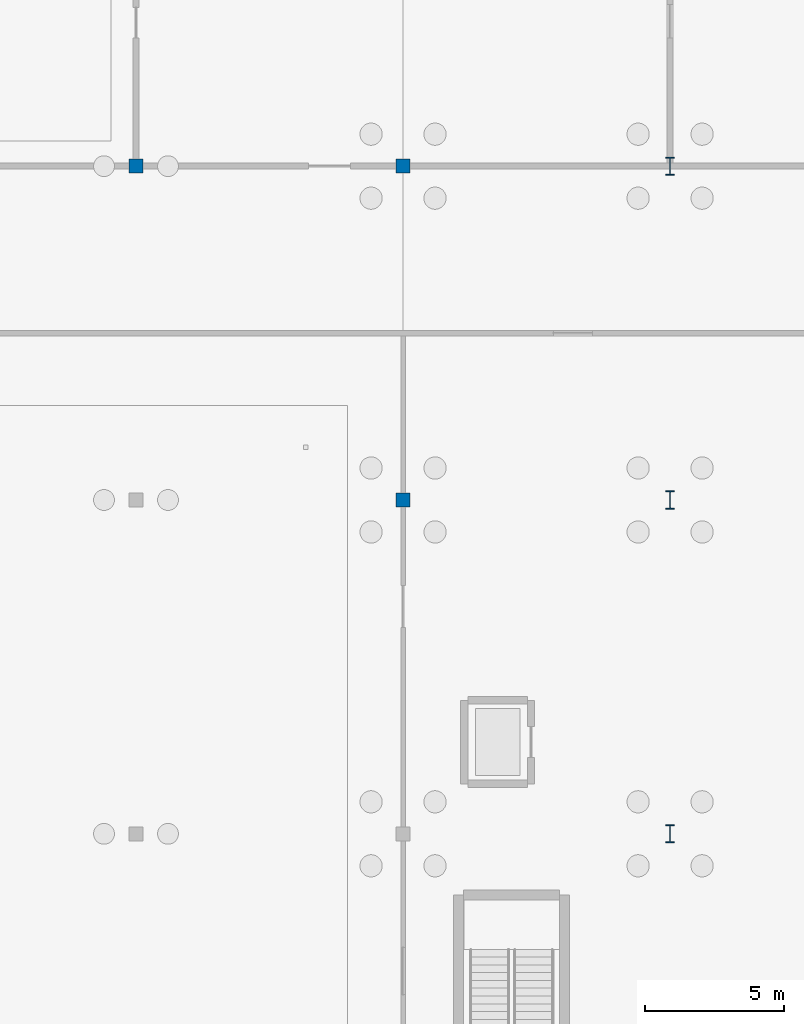
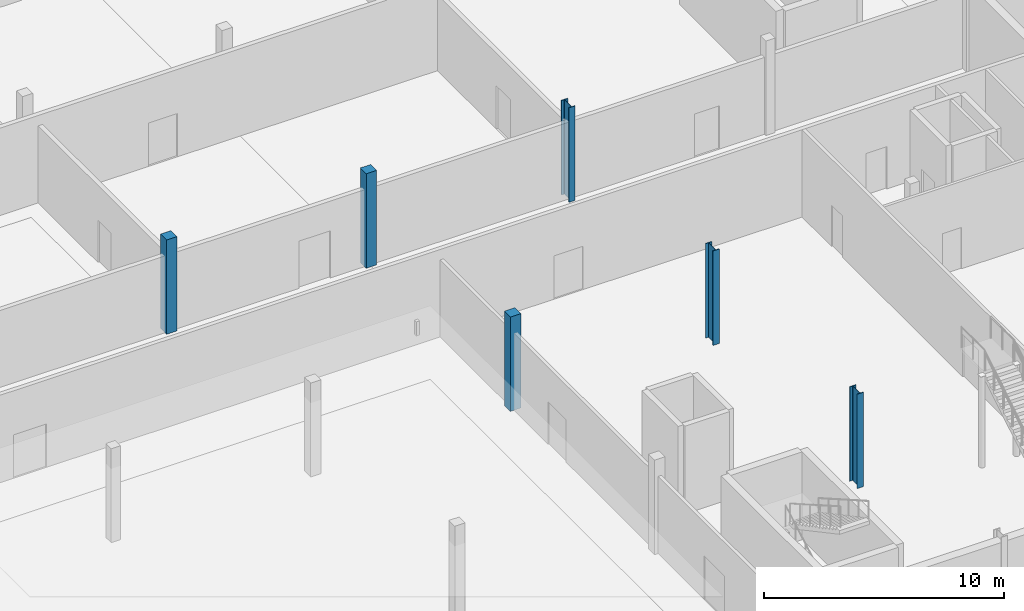
# One storey, part 16 of 31: 6 columns.
"""IFC4 building model written with IfcOpenShell, lengths in metres."""

from ifc_helpers import new_model, si_unit, direction, frame, origin, origin_2d, place, context, subcontext, project, spatial, rectangle, i_section, extrude, material, material_profile, profile_set, type_object, element, save


model = new_model("IFC4")

# Units and contexts
model_context = context("Model", 3, precision=1e-05, world=origin(), true_north=direction((0.0, 1.0)))
body_context = subcontext(model_context, "Body", "Model", "MODEL_VIEW")
ifc_project = project(units=[si_unit("LENGTHUNIT", "METRE"), si_unit("AREAUNIT", "SQUARE_METRE"), si_unit("VOLUMEUNIT", "CUBIC_METRE"), si_unit("PLANEANGLEUNIT", "RADIAN"), si_unit("MASSUNIT", "GRAM", prefix="KILO")], contexts=[model_context])

# Site, building, storey
site_placement = place(None, origin())
site = spatial("IfcSite", under=ifc_project, at=site_placement, CompositionType="ELEMENT")
building_placement = place(site_placement, origin())
building = spatial("IfcBuilding", under=site, at=building_placement, Name="Merenkruunu Market Hall", CompositionType="ELEMENT")
storey_placement = place(building_placement, frame((0.0, 0.0, -4.800048828125)))
storey = spatial("IfcBuildingStorey", under=building, at=storey_placement, Name="B1", CompositionType="ELEMENT", Elevation=-4.800048828125)

# Columns
ifc_material_1 = material(Name="Steel S355ML", Category="steel")
ifc_material_profile_1 = material_profile(ifc_material_1, i_section(OverallWidth=0.300048828125, OverallDepth=0.64990234375, WebThickness=0.01611328125, FlangeThickness=0.031005859375, FilletRadius=0.027099609375, at=origin_2d()), Name="HEB 650")
ifc_profile_set_1 = profile_set([ifc_material_profile_1], Name="Steel S355ML")
column_type_1 = type_object("IfcColumnType", Name="Structural Column C01", PredefinedType="COLUMN", material=ifc_profile_set_1)
for number, where, z_axis, x_axis, name in (
    (1, (57.60009765625, 63.60009765625, 0.0), (0.0, 0.0, 1.0), (1.0, 0.0, 0.0), "COL-B1-G-08"),
    (2, (57.60009765625, 75.60009765625, 0.0), (0.0, 0.0, 1.0), (1.0, 0.0, 0.0), "COL-B1-G-09"),
    (3, (57.60009765625, 87.60009765625, 0.0), (0.0, 0.0, 1.0), (1.0, 0.0, 0.0), "COL-B1-G-10"),
):
    element("IfcColumn", number, at=place(storey_placement, frame(where, z_axis=z_axis, x_axis=x_axis)), inside=storey, type_object=column_type_1, Name=name, PredefinedType="COLUMN", context=body_context, shape_type="SweptSolid", body=[
        extrude(i_section(OverallWidth=0.300048828125, OverallDepth=0.64990234375, WebThickness=0.01611328125, FlangeThickness=0.031005859375, FilletRadius=0.027099609375, at=origin_2d()), origin(), (0.0, 0.0, 1.0), 4.800048828125),
    ])
ifc_material_2 = material(Name="Concrete C35/45", Category="concrete")
ifc_material_profile_2 = material_profile(ifc_material_2, rectangle(XDim=0.5, YDim=0.5, at=origin_2d()), Name="RC 500x500")
ifc_profile_set_2 = profile_set([ifc_material_profile_2], Name="Concrete C35/45")
column_type_2 = type_object("IfcColumnType", Name="Structural Column C18", PredefinedType="COLUMN", material=ifc_profile_set_2)
for number, where, z_axis, x_axis, name in (
    (4, (38.39990234375, 87.60009765625, 0.0), (0.0, 0.0, 1.0), (1.0, 0.0, 0.0), "COL-B1-E-10"),
    (5, (48.0, 75.60009765625, 0.0), (0.0, 0.0, 1.0), (1.0, 0.0, 0.0), "COL-B1-F-09"),
    (6, (48.0, 87.60009765625, 0.0), (0.0, 0.0, 1.0), (1.0, 0.0, 0.0), "COL-B1-F-10"),
):
    element("IfcColumn", number, at=place(storey_placement, frame(where, z_axis=z_axis, x_axis=x_axis)), inside=storey, type_object=column_type_2, Name=name, PredefinedType="COLUMN", context=body_context, shape_type="SweptSolid", body=[
        extrude(rectangle(XDim=0.5, YDim=0.5, at=origin_2d()), origin(), (0.0, 0.0, 1.0), 4.800048828125),
    ])

save(model, "model.ifc")
